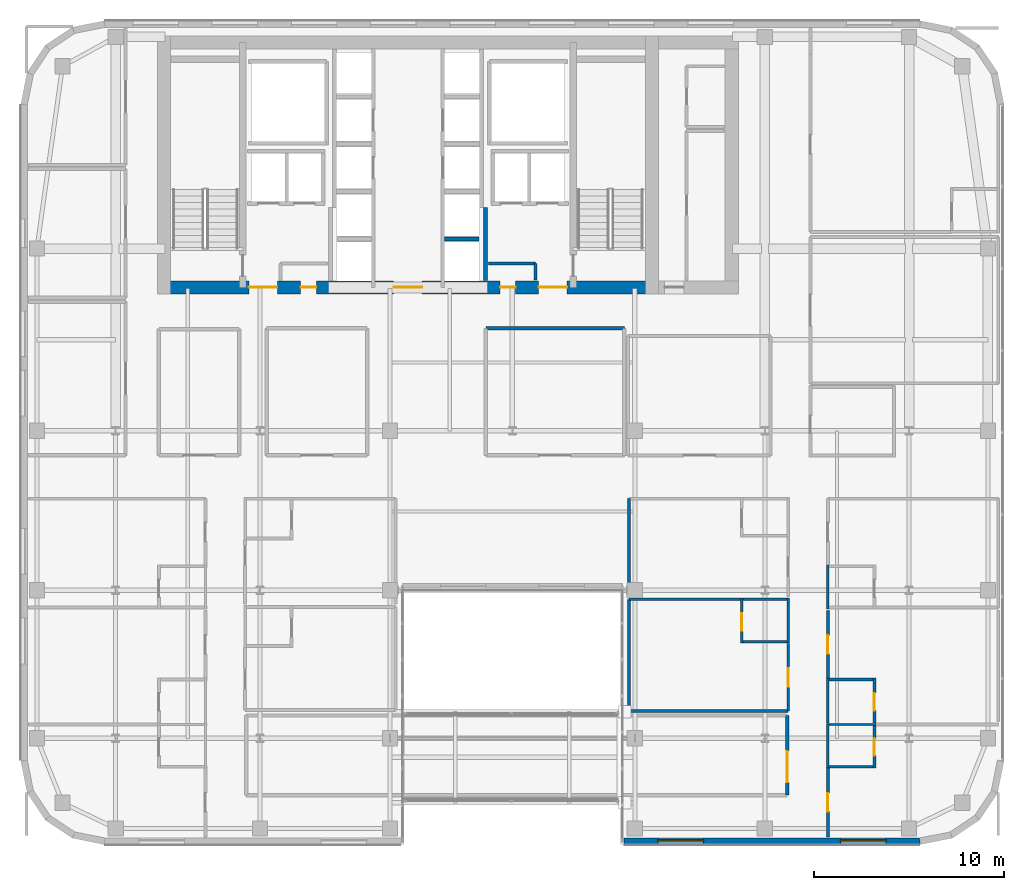
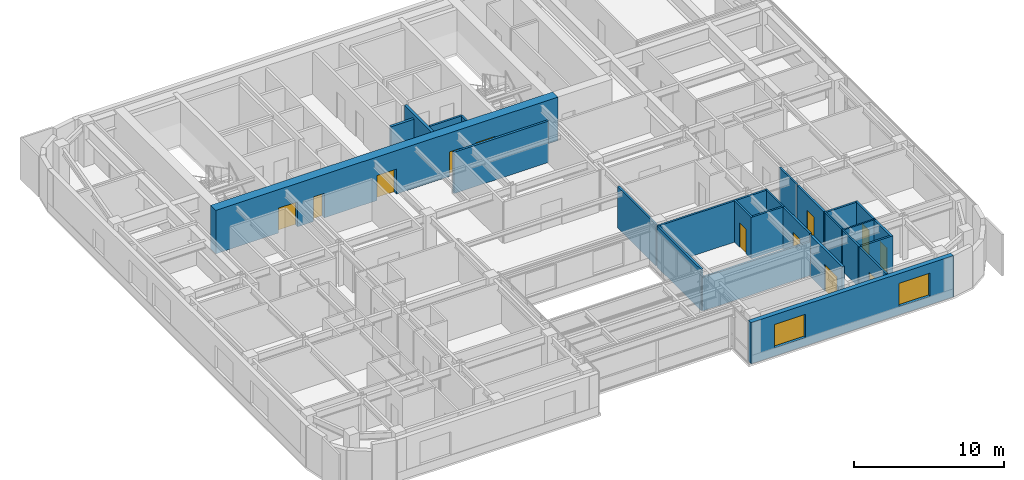
# One storey, part 17 of 26: 27 walls, 12 doors, 2 windows, 14 openings.
"""IFC4 building model written with IfcOpenShell, lengths in metres."""

from ifc_helpers import new_model, si_unit, direction, frame, frame_2d, origin, place, context, subcontext, project, spatial, rectangle, extrude, source, transform, mapped, material, layer, layer_set, type_object, type_shapes, element, fill, save


model = new_model("IFC4")

# Units and contexts
model_context = context("Model", 3, precision=1e-05, world=origin(), true_north=direction((0.0, 1.0)))
body_context = subcontext(model_context, "Body", "Model", "MODEL_VIEW")
ifc_project = project(units=[si_unit("LENGTHUNIT", "METRE"), si_unit("AREAUNIT", "SQUARE_METRE"), si_unit("VOLUMEUNIT", "CUBIC_METRE"), si_unit("PLANEANGLEUNIT", "RADIAN"), si_unit("MASSUNIT", "GRAM", prefix="KILO")], contexts=[model_context])

# Site, building, storey
site_placement = place(None, origin())
site = spatial("IfcSite", under=ifc_project, at=site_placement, CompositionType="ELEMENT")
building_placement = place(site_placement, origin())
building = spatial("IfcBuilding", under=site, at=building_placement, Name="Tolvann Quenvar Hotel", CompositionType="ELEMENT")
storey_placement = place(building_placement, frame((0.0, 0.0, 168.35009765625)))
storey = spatial("IfcBuildingStorey", under=building, at=storey_placement, Name="L44", CompositionType="ELEMENT", Elevation=168.35009765625)

# Wall, openings, doors
ifc_material_1 = material(Name="Concrete S65 (65 MPa)", Category="concrete")
ifc_layer_1 = layer(ifc_material_1, 0.699951171875)
ifc_layer_set_1 = layer_set([ifc_layer_1], Name="Concrete S65 (65 MPa)")
wall_type_1 = type_object("IfcWallType", Name="WALL_CORE_700", PredefinedType="SHEAR", material=ifc_layer_set_1)
wall_1_placement = place(storey_placement, frame((9.800048828125, 31.949951171875, 0.0), z_axis=(0.0, 0.0, 1.0), x_axis=(1.0, 0.0, 0.0)))
wall_1 = element("IfcWall", 1, at=wall_1_placement, inside=storey, type_object=wall_type_1, Name="Rear Core S Shear Wall (L44)", PredefinedType="SHEAR", context=body_context, shape_type="SweptSolid", body=[
    extrude(rectangle(XDim=26.39990234375, YDim=0.699951171875, at=frame_2d((13.199951171875, 0.0))), origin(), (0.0, 0.0, 1.0), 3.5498046875),
])
opening_1_placement = place(wall_1_placement, frame((6.320068359375, 0.0, 0.0), z_axis=(0.0, 0.0, 1.0), x_axis=(-1.0, 0.0, 0.0)))
opening_1 = element("IfcOpeningElement", 2, at=opening_1_placement, cuts=wall_1, Name="Opening FD-60D", PredefinedType="OPENING", context=body_context, shape_type="SweptSolid", body=[
    extrude(rectangle(XDim=1.5, YDim=2.0400390625, at=frame_2d((0.75, 1.02001953125))), frame((0.0, 0.35986328125, 0.0), z_axis=(0.0, -1.0, 0.0), x_axis=(1.0, 0.0, 0.0)), (0.0, 0.0, 1.0), 0.719970703125),
])
opening_2_placement = place(wall_1_placement, frame((13.949951171875, 0.0, 0.0), z_axis=(0.0, 0.0, 1.0), x_axis=(-1.0, 0.0, 0.0)))
opening_2 = element("IfcOpeningElement", 3, at=opening_2_placement, cuts=wall_1, Name="Opening FD-60D", PredefinedType="OPENING", context=body_context, shape_type="SweptSolid", body=[
    extrude(rectangle(XDim=1.5, YDim=2.0400390625, at=frame_2d((0.75, 1.02001953125))), frame((0.0, 0.35986328125, 0.0), z_axis=(0.0, -1.0, 0.0), x_axis=(1.0, 0.0, 0.0)), (0.0, 0.0, 1.0), 0.719970703125),
])
opening_3_placement = place(wall_1_placement, frame((21.580078125, 0.0, 0.0), z_axis=(0.0, 0.0, 1.0), x_axis=(-1.0, 0.0, 0.0)))
opening_3 = element("IfcOpeningElement", 4, at=opening_3_placement, cuts=wall_1, Name="Opening FD-60D", PredefinedType="OPENING", context=body_context, shape_type="SweptSolid", body=[
    extrude(rectangle(XDim=1.5, YDim=2.0400390625, at=frame_2d((0.75, 1.02001953125))), frame((0.0, 0.35986328125, 0.0), z_axis=(0.0, -1.0, 0.0), x_axis=(1.0, 0.0, 0.0)), (0.0, 0.0, 1.0), 0.719970703125),
])
opening_4_placement = place(wall_1_placement, frame((8.3701171875, 0.0, 0.0), z_axis=(0.0, 0.0, 1.0), x_axis=(-1.0, 0.0, 0.0)))
opening_4 = element("IfcOpeningElement", 5, at=opening_4_placement, cuts=wall_1, Name="Opening HD-02", PredefinedType="OPENING", context=body_context, shape_type="SweptSolid", body=[
    extrude(rectangle(XDim=0.820068359375, YDim=2.010009765625, at=frame_2d((0.41015625, 1.0048828125))), frame((0.0, 0.35986328125, 0.0), z_axis=(0.0, -1.0, 0.0), x_axis=(1.0, 0.0, 0.0)), (0.0, 0.0, 1.0), 0.719970703125),
])
opening_5_placement = place(wall_1_placement, frame((18.8701171875, 0.0, 0.0), z_axis=(0.0, 0.0, 1.0), x_axis=(-1.0, 0.0, 0.0)))
opening_5 = element("IfcOpeningElement", 6, at=opening_5_placement, cuts=wall_1, Name="Opening HD-02", PredefinedType="OPENING", context=body_context, shape_type="SweptSolid", body=[
    extrude(rectangle(XDim=0.820068359375, YDim=2.010009765625, at=frame_2d((0.41015625, 1.0048828125))), frame((0.0, 0.35986328125, 0.0), z_axis=(0.0, -1.0, 0.0), x_axis=(1.0, 0.0, 0.0)), (0.0, 0.0, 1.0), 0.719970703125),
])
ifc_material_2 = material(Name="Solid-core American oak acoustic fire door leaf in steel frame", Category="steel")
door_type_1 = type_object("IfcDoorType", Name="DOOR_FIRE_LOBBY_1500", OperationType="NOTDEFINED", PredefinedType="DOOR", material=ifc_material_2)
shared_shape_1 = source(origin(), body_context, "Body", "SweptSolid", [
    extrude(rectangle(XDim=1.5, YDim=2.0400390625, at=frame_2d((0.75, 1.02001953125))), frame((0.0, 0.02490234375, 0.0), z_axis=(0.0, -1.0, 0.0), x_axis=(1.0, 0.0, 0.0)), (0.0, 0.0, 1.0), 0.050048828125),
])
type_shapes(door_type_1, [shared_shape_1])
door_1_placement = place(opening_1_placement, origin())
door_1 = element("IfcDoor", 7, at=door_1_placement, inside=storey, type_object=door_type_1, Name="Core Lobby Fire Door FFW (L44)", OperationType="DOUBLE_DOOR_SINGLE_SWING", OverallHeight=2.0400390625, OverallWidth=1.5, PredefinedType="DOOR", context=body_context, shape_type="MappedRepresentation", body=[
    mapped(shared_shape_1, transform((0.0, 0.0, 0.0), x_axis=(1.0, 0.0, 0.0), y_axis=(0.0, 1.0, 0.0), z_axis=(0.0, 0.0, 1.0), scale=1.0)),
])
fill(opening_1, door_1)
door_2_placement = place(opening_2_placement, origin())
door_2 = element("IfcDoor", 8, at=door_2_placement, inside=storey, type_object=door_type_1, Name="Core Lobby Fire Door CLOB (L44)", OperationType="DOUBLE_DOOR_SINGLE_SWING", OverallHeight=2.0400390625, OverallWidth=1.5, PredefinedType="DOOR", context=body_context, shape_type="MappedRepresentation", body=[
    mapped(shared_shape_1, transform((0.0, 0.0, 0.0), x_axis=(1.0, 0.0, 0.0), y_axis=(0.0, 1.0, 0.0), z_axis=(0.0, 0.0, 1.0), scale=1.0)),
])
fill(opening_2, door_2)
door_3_placement = place(opening_3_placement, origin())
door_3 = element("IfcDoor", 9, at=door_3_placement, inside=storey, type_object=door_type_1, Name="Core Lobby Fire Door FFE (L44)", OperationType="DOUBLE_DOOR_SINGLE_SWING", OverallHeight=2.0400390625, OverallWidth=1.5, PredefinedType="DOOR", context=body_context, shape_type="MappedRepresentation", body=[
    mapped(shared_shape_1, transform((0.0, 0.0, 0.0), x_axis=(1.0, 0.0, 0.0), y_axis=(0.0, 1.0, 0.0), z_axis=(0.0, 0.0, 1.0), scale=1.0)),
])
fill(opening_3, door_3)
ifc_material_3 = material(Name="Pressed galvanised steel fire-rated door set", Category="steel")
door_type_2 = type_object("IfcDoorType", Name="DOOR_STORE_820", OperationType="NOTDEFINED", PredefinedType="DOOR", material=ifc_material_3)
shared_shape_2 = source(origin(), body_context, "Body", "SweptSolid", [
    extrude(rectangle(XDim=0.820068359375, YDim=2.010009765625, at=frame_2d((0.41015625, 1.0048828125))), frame((0.0, 0.02490234375, 0.0), z_axis=(0.0, -1.0, 0.0), x_axis=(1.0, 0.0, 0.0)), (0.0, 0.0, 1.0), 0.050048828125),
])
type_shapes(door_type_2, [shared_shape_2])
door_4_placement = place(opening_4_placement, origin())
door_4 = element("IfcDoor", 10, at=door_4_placement, inside=storey, type_object=door_type_2, Name="Core Linen Store Fire Door (L44)", OperationType="SINGLE_SWING_LEFT", OverallHeight=2.010009765625, OverallWidth=0.820068359375, PredefinedType="DOOR", context=body_context, shape_type="MappedRepresentation", body=[
    mapped(shared_shape_2, transform((0.0, 0.0, 0.0), x_axis=(1.0, 0.0, 0.0), y_axis=(0.0, 1.0, 0.0), z_axis=(0.0, 0.0, 1.0), scale=1.0)),
])
fill(opening_4, door_4)
door_5_placement = place(opening_5_placement, origin())
door_5 = element("IfcDoor", 11, at=door_5_placement, inside=storey, type_object=door_type_2, Name="Core Comms Closet Fire Door (L44)", OperationType="SINGLE_SWING_RIGHT", OverallHeight=2.010009765625, OverallWidth=0.820068359375, PredefinedType="DOOR", context=body_context, shape_type="MappedRepresentation", body=[
    mapped(shared_shape_2, transform((0.0, 0.0, 0.0), x_axis=(1.0, 0.0, 0.0), y_axis=(0.0, 1.0, 0.0), z_axis=(0.0, 0.0, 1.0), scale=1.0)),
])
fill(opening_5, door_5)

# Wall, openings, windows
ifc_material_4 = material(Name="Kiln-fired red and buff architectural clay brickwork and terracotta masonry", Category="masonry")
ifc_layer_2 = layer(ifc_material_4, 0.35009765625)
ifc_layer_set_2 = layer_set([ifc_layer_2], Name="Kiln-fired red and buff architectural clay brickwork and terracotta masonry")
wall_type_2 = type_object("IfcWallType", Name="WALL_EXT_BRICK_350", PredefinedType="SOLIDWALL", material=ifc_layer_set_2)
wall_2_placement = place(storey_placement, frame((34.375, 2.77490234375, 0.0), z_axis=(0.0, 0.0, 1.0), x_axis=(1.0, 0.0, 0.0)))
wall_2 = element("IfcWall", 12, at=wall_2_placement, inside=storey, type_object=wall_type_2, Name="Exterior Chicago Brick Wall L44-E08", PredefinedType="SOLIDWALL", context=body_context, shape_type="SweptSolid", body=[
    extrude(rectangle(XDim=15.60791015625, YDim=0.35009765625, at=frame_2d((7.803955078125, 0.0))), origin(), (0.0, 0.0, 1.0), 3.369873046875),
])
opening_6_placement = place(wall_2_placement, frame((1.801025390625, 0.0, 0.679931640625)))
opening_6 = element("IfcOpeningElement", 13, at=opening_6_placement, cuts=wall_2, Name="Opening W-01", PredefinedType="OPENING", context=body_context, shape_type="SweptSolid", body=[
    extrude(rectangle(XDim=2.39990234375, YDim=1.89990234375, at=frame_2d((1.199951171875, 0.949951171875))), frame((0.0, 0.18505859375, 0.0), z_axis=(0.0, -1.0, 0.0), x_axis=(1.0, 0.0, 0.0)), (0.0, 0.0, 1.0), 0.3701171875),
])
opening_7_placement = place(wall_2_placement, frame((11.406005859375, 0.0, 0.679931640625)))
opening_7 = element("IfcOpeningElement", 14, at=opening_7_placement, cuts=wall_2, Name="Opening W-01", PredefinedType="OPENING", context=body_context, shape_type="SweptSolid", body=[
    extrude(rectangle(XDim=2.39990234375, YDim=1.89990234375, at=frame_2d((1.199951171875, 0.949951171875))), frame((0.0, 0.18505859375, 0.0), z_axis=(0.0, -1.0, 0.0), x_axis=(1.0, 0.0, 0.0)), (0.0, 0.0, 1.0), 0.3701171875),
])
ifc_material_5 = material(Name="Thermally broken bronze-anodised aluminium frame with double low-E glazing", Category="aluminium")
window_type = type_object("IfcWindowType", Name="WIN_CHI_2400x2050", PartitioningType="TRIPLE_PANEL_HORIZONTAL", PredefinedType="WINDOW", material=ifc_material_5)
shared_shape_3 = source(origin(), body_context, "Body", "SweptSolid", [
    extrude(rectangle(XDim=2.39990234375, YDim=1.89990234375, at=frame_2d((1.199951171875, 0.949951171875))), frame((0.0, 0.090087890625, 0.0), z_axis=(0.0, -1.0, 0.0), x_axis=(1.0, 0.0, 0.0)), (0.0, 0.0, 1.0), 0.06005859375),
])
type_shapes(window_type, [shared_shape_3])
window_1_placement = place(opening_6_placement, origin())
window_1 = element("IfcWindow", 15, at=window_1_placement, inside=storey, type_object=window_type, Name="Chicago Window W-01 (EW-L44-E08-W01)", OverallHeight=1.89990234375, OverallWidth=2.39990234375, PartitioningType="TRIPLE_PANEL_HORIZONTAL", PredefinedType="WINDOW", context=body_context, shape_type="MappedRepresentation", body=[
    mapped(shared_shape_3, transform((0.0, 0.0, 0.0), x_axis=(1.0, 0.0, 0.0), y_axis=(0.0, 1.0, 0.0), z_axis=(0.0, 0.0, 1.0), scale=1.0)),
])
fill(opening_6, window_1)
window_2_placement = place(opening_7_placement, origin())
window_2 = element("IfcWindow", 16, at=window_2_placement, inside=storey, type_object=window_type, Name="Chicago Window W-01 (EW-L44-E08-W02)", OverallHeight=1.89990234375, OverallWidth=2.39990234375, PartitioningType="TRIPLE_PANEL_HORIZONTAL", PredefinedType="WINDOW", context=body_context, shape_type="MappedRepresentation", body=[
    mapped(shared_shape_3, transform((0.0, 0.0, 0.0), x_axis=(1.0, 0.0, 0.0), y_axis=(0.0, 1.0, 0.0), z_axis=(0.0, 0.0, 1.0), scale=1.0)),
])
fill(opening_7, window_2)

# Wall
ifc_material_6 = material(Name="Acoustic twin-stud fire-rated gypsum plasterboard partition")
ifc_layer_3 = layer(ifc_material_6, 0.179931640625)
ifc_layer_set_3 = layer_set([ifc_layer_3], Name="Acoustic twin-stud fire-rated gypsum plasterboard partition")
wall_type_3 = type_object("IfcWallType", Name="WALL_PART_ACOUSTIC_180", PredefinedType="PARTITIONING", material=ifc_layer_set_3)
wall_3_placement = place(storey_placement, frame((27.10009765625, 29.800048828125, 0.0), z_axis=(0.0, 0.0, 1.0), x_axis=(1.0, 0.0, 0.0)))
element("IfcWall", 17, at=wall_3_placement, inside=storey, type_object=wall_type_3, Name="Interior Partition PT-SPC-L44-MSP-C-N", PredefinedType="PARTITIONING", context=body_context, shape_type="SweptSolid", body=[
    extrude(rectangle(XDim=7.2998046875, YDim=0.179931640625, at=frame_2d((3.64990234375, 0.0))), origin(), (0.0, 0.0, 1.0), 3.369873046875),
])

# Wall, opening, door
wall_4_placement = place(storey_placement, frame((42.97998046875, 5.199951171875, 0.0), z_axis=(0.0, 0.0, 1.0), x_axis=(0.0, 1.0, 0.0)))
wall_4 = element("IfcWall", 18, at=wall_4_placement, inside=storey, type_object=wall_type_3, Name="Interior Partition PT-SPC-L44-BRG-E", PredefinedType="PARTITIONING", context=body_context, shape_type="SweptSolid", body=[
    extrude(rectangle(XDim=4.199951171875, YDim=0.179931640625, at=frame_2d((2.10009765625, 0.0))), origin(), (0.0, 0.0, 1.0), 3.369873046875),
])
opening_8_placement = place(wall_4_placement, frame((0.675048828125, 0.0, 0.0)))
opening_8 = element("IfcOpeningElement", 19, at=opening_8_placement, cuts=wall_4, Name="Opening AD-01", PredefinedType="OPENING", context=body_context, shape_type="SweptSolid", body=[
    extrude(rectangle(XDim=1.64990234375, YDim=2.14990234375, at=frame_2d((0.824951171875, 1.074951171875))), frame((0.0, 0.10009765625, 0.0), z_axis=(0.0, -1.0, 0.0), x_axis=(1.0, 0.0, 0.0)), (0.0, 0.0, 1.0), 0.199951171875),
])
door_type_3 = type_object("IfcDoorType", Name="DOOR_SALON_1650", OperationType="NOTDEFINED", PredefinedType="DOOR", material=ifc_material_2)
shared_shape_4 = source(origin(), body_context, "Body", "SweptSolid", [
    extrude(rectangle(XDim=1.64990234375, YDim=2.14990234375, at=frame_2d((0.824951171875, 1.074951171875))), frame((0.0, 0.02490234375, 0.0), z_axis=(0.0, -1.0, 0.0), x_axis=(1.0, 0.0, 0.0)), (0.0, 0.0, 1.0), 0.050048828125),
])
type_shapes(door_type_3, [shared_shape_4])
door_6_placement = place(opening_8_placement, origin())
door_6 = element("IfcDoor", 20, at=door_6_placement, inside=storey, type_object=door_type_3, Name="Interior Door DOOR-SPC-L44-BRG", OperationType="DOUBLE_DOOR_SINGLE_SWING", OverallHeight=2.14990234375, OverallWidth=1.64990234375, PredefinedType="DOOR", context=body_context, shape_type="MappedRepresentation", body=[
    mapped(shared_shape_4, transform((0.0, 0.0, 0.0), x_axis=(1.0, 0.0, 0.0), y_axis=(0.0, 1.0, 0.0), z_axis=(0.0, 0.0, 1.0), scale=1.0)),
])
fill(opening_8, door_6)

# Walls
ifc_material_7 = material(Name="Moisture-resistant acoustic plumbing wall assembly")
ifc_layer_4 = layer(ifc_material_7, 0.1201171875)
ifc_layer_set_4 = layer_set([ifc_layer_4], Name="Moisture-resistant acoustic plumbing wall assembly")
wall_type_4 = type_object("IfcWallType", Name="WALL_PART_BATH_120", PredefinedType="PLUMBINGWALL", material=ifc_layer_set_4)
wall_5_placement = place(storey_placement, frame((43.030029296875, 13.2119140625, 0.0), z_axis=(0.0, 0.0, 1.0), x_axis=(0.0, 1.0, 0.0)))
element("IfcWall", 21, at=wall_5_placement, inside=storey, type_object=wall_type_4, Name="Non-Rated Plumbing Partition PT-SPC-L44-ENS-EI01-E", PredefinedType="PLUMBINGWALL", context=body_context, shape_type="SweptSolid", body=[
    extrude(rectangle(XDim=2.378173828125, YDim=0.1201171875, at=frame_2d((1.18896484375, 0.0))), origin(), (0.0, 0.0, 1.0), 3.369873046875),
])
wall_6_placement = place(storey_placement, frame((45.050048828125, 8.919921875, 0.0), z_axis=(0.0, 0.0, 1.0), x_axis=(1.0, 0.0, 0.0)))
element("IfcWall", 22, at=wall_6_placement, inside=storey, type_object=wall_type_4, Name="Non-Rated Plumbing Partition PT-SPC-L44-ENS-EO01-N", PredefinedType="PLUMBINGWALL", context=body_context, shape_type="SweptSolid", body=[
    extrude(rectangle(XDim=2.58984375, YDim=0.1201171875, at=frame_2d((1.294921875, 0.0))), origin(), (0.0, 0.0, 1.0), 3.369873046875),
])
for number, where, z_axis, x_axis, name in (
    (23, (45.1201171875, 6.631103515625, 0.0), (0.0, 0.0, 1.0), (0.0, 1.0, 0.0), "Non-Rated Plumbing Partition PT-SPC-L44-ENS-EO01-W"),
    (24, (45.1201171875, 9.010009765625, 0.0), (0.0, 0.0, 1.0), (0.0, 1.0, 0.0), "Non-Rated Plumbing Partition PT-SPC-L44-ENS-EO02-W"),
):
    element("IfcWall", number, at=place(storey_placement, frame(where, z_axis=z_axis, x_axis=x_axis)), inside=storey, type_object=wall_type_4, Name=name, PredefinedType="PLUMBINGWALL", context=body_context, shape_type="SweptSolid", body=[
        extrude(rectangle(XDim=2.35888671875, YDim=0.1201171875, at=frame_2d((1.179443359375, 0.0))), origin(), (0.0, 0.0, 1.0), 3.369873046875),
    ])
wall_7_placement = place(storey_placement, frame((45.1201171875, 15.010009765625, 0.0), z_axis=(0.0, 0.0, 1.0), x_axis=(0.0, 1.0, 0.0)))
element("IfcWall", 25, at=wall_7_placement, inside=storey, type_object=wall_type_4, Name="Non-Rated Plumbing Partition PT-SPC-L44-ENS-EO03-W", PredefinedType="PLUMBINGWALL", context=body_context, shape_type="SweptSolid", body=[
    extrude(rectangle(XDim=2.321044921875, YDim=0.1201171875, at=frame_2d((1.16064453125, 0.0))), origin(), (0.0, 0.0, 1.0), 3.369873046875),
])

# Wall, opening, door
ifc_layer_5 = layer(ifc_material_6, 0.14990234375)
ifc_layer_set_5 = layer_set([ifc_layer_5], Name="Acoustic twin-stud fire-rated gypsum plasterboard partition")
wall_type_5 = type_object("IfcWallType", Name="WALL_PART_SUITE_150", PredefinedType="PARTITIONING", material=ifc_layer_set_5)
wall_8_placement = place(storey_placement, frame((40.580078125, 13.2119140625, 0.0), z_axis=(0.0, 0.0, 1.0), x_axis=(0.0, 1.0, 0.0)))
wall_8 = element("IfcWall", 26, at=wall_8_placement, inside=storey, type_object=wall_type_5, Name="Interior Partition PT-SPC-L44-ENS-EI01-ENT", PredefinedType="PARTITIONING", context=body_context, shape_type="SweptSolid", body=[
    extrude(rectangle(XDim=2.378173828125, YDim=0.14990234375, at=frame_2d((1.18896484375, 0.0))), origin(), (0.0, 0.0, 1.0), 3.369873046875),
])
opening_9_placement = place(wall_8_placement, frame((0.658935546875, 0.0, 0.0)))
opening_9 = element("IfcOpeningElement", 27, at=opening_9_placement, cuts=wall_8, Name="Opening WD-01", PredefinedType="OPENING", context=body_context, shape_type="SweptSolid", body=[
    extrude(rectangle(XDim=0.919921875, YDim=2.010009765625, at=frame_2d((0.4599609375, 1.0048828125))), frame((0.0, 0.0849609375, 0.0), z_axis=(0.0, -1.0, 0.0), x_axis=(1.0, 0.0, 0.0)), (0.0, 0.0, 1.0), 0.169921875),
])
door_type_4 = type_object("IfcDoorType", Name="DOOR_WC_920", OperationType="NOTDEFINED", PredefinedType="DOOR", material=ifc_material_2)
shared_shape_5 = source(origin(), body_context, "Body", "SweptSolid", [
    extrude(rectangle(XDim=0.919921875, YDim=2.010009765625, at=frame_2d((0.4599609375, 1.0048828125))), frame((0.0, 0.02490234375, 0.0), z_axis=(0.0, -1.0, 0.0), x_axis=(1.0, 0.0, 0.0)), (0.0, 0.0, 1.0), 0.050048828125),
])
type_shapes(door_type_4, [shared_shape_5])
door_7_placement = place(opening_9_placement, origin())
door_7 = element("IfcDoor", 28, at=door_7_placement, inside=storey, type_object=door_type_4, Name="Interior Door DOOR-SPC-L44-ENS-EI01", OperationType="SINGLE_SWING_RIGHT", OverallHeight=2.010009765625, OverallWidth=0.919921875, PredefinedType="DOOR", context=body_context, shape_type="MappedRepresentation", body=[
    mapped(shared_shape_5, transform((0.0, 0.0, 0.0), x_axis=(1.0, 0.0, 0.0), y_axis=(0.0, 1.0, 0.0), z_axis=(0.0, 0.0, 1.0), scale=1.0)),
])
fill(opening_9, door_7)

# Walls
for number, where, z_axis, x_axis, name in (
    (29, (40.510009765625, 13.281982421875, 0.0), (0.0, 0.0, 1.0), (1.0, 0.0, 0.0), "Interior Partition PT-SPC-L44-ENS-EI01-S"),
    (30, (40.510009765625, 15.52001953125, 0.0), (0.0, 0.0, 1.0), (1.0, 0.0, 0.0), "Interior Partition PT-SPC-L44-ENS-EI01-N"),
):
    element("IfcWall", number, at=place(storey_placement, frame(where, z_axis=z_axis, x_axis=x_axis)), inside=storey, type_object=wall_type_5, Name=name, PredefinedType="PARTITIONING", context=body_context, shape_type="SweptSolid", body=[
        extrude(rectangle(XDim=2.590087890625, YDim=0.14990234375, at=frame_2d((1.294921875, 0.0))), origin(), (0.0, 0.0, 1.0), 3.369873046875),
    ])

# Wall, opening, door
wall_9_placement = place(storey_placement, frame((47.570068359375, 6.631103515625, 0.0), z_axis=(0.0, 0.0, 1.0), x_axis=(0.0, 1.0, 0.0)))
wall_9 = element("IfcWall", 31, at=wall_9_placement, inside=storey, type_object=wall_type_5, Name="Interior Partition PT-SPC-L44-ENS-EO01-ENT", PredefinedType="PARTITIONING", context=body_context, shape_type="SweptSolid", body=[
    extrude(rectangle(XDim=2.35888671875, YDim=0.14990234375, at=frame_2d((1.179443359375, 0.0))), origin(), (0.0, 0.0, 1.0), 3.369873046875),
])
opening_10_placement = place(wall_9_placement, frame((0.6494140625, 0.0, 0.0)))
opening_10 = element("IfcOpeningElement", 32, at=opening_10_placement, cuts=wall_9, Name="Opening WD-01", PredefinedType="OPENING", context=body_context, shape_type="SweptSolid", body=[
    extrude(rectangle(XDim=0.919921875, YDim=2.010009765625, at=frame_2d((0.4599609375, 1.0048828125))), frame((0.0, 0.0849609375, 0.0), z_axis=(0.0, -1.0, 0.0), x_axis=(1.0, 0.0, 0.0)), (0.0, 0.0, 1.0), 0.169921875),
])
door_8_placement = place(opening_10_placement, origin())
door_8 = element("IfcDoor", 33, at=door_8_placement, inside=storey, type_object=door_type_4, Name="Interior Door DOOR-SPC-L44-ENS-EO01", OperationType="SINGLE_SWING_RIGHT", OverallHeight=2.010009765625, OverallWidth=0.919921875, PredefinedType="DOOR", context=body_context, shape_type="MappedRepresentation", body=[
    mapped(shared_shape_5, transform((0.0, 0.0, 0.0), x_axis=(1.0, 0.0, 0.0), y_axis=(0.0, 1.0, 0.0), z_axis=(0.0, 0.0, 1.0), scale=1.0)),
])
fill(opening_10, door_8)

# Wall
wall_10_placement = place(storey_placement, frame((45.050048828125, 6.700927734375, 0.0), z_axis=(0.0, 0.0, 1.0), x_axis=(1.0, 0.0, 0.0)))
element("IfcWall", 34, at=wall_10_placement, inside=storey, type_object=wall_type_5, Name="Interior Partition PT-SPC-L44-ENS-EO01-S", PredefinedType="PARTITIONING", context=body_context, shape_type="SweptSolid", body=[
    extrude(rectangle(XDim=2.58984375, YDim=0.14990234375, at=frame_2d((1.294921875, 0.0))), origin(), (0.0, 0.0, 1.0), 3.369873046875),
])

# Wall, opening, door
wall_11_placement = place(storey_placement, frame((47.570068359375, 9.010009765625, 0.0), z_axis=(0.0, 0.0, 1.0), x_axis=(0.0, 1.0, 0.0)))
wall_11 = element("IfcWall", 35, at=wall_11_placement, inside=storey, type_object=wall_type_5, Name="Interior Partition PT-SPC-L44-ENS-EO02-ENT", PredefinedType="PARTITIONING", context=body_context, shape_type="SweptSolid", body=[
    extrude(rectangle(XDim=2.35888671875, YDim=0.14990234375, at=frame_2d((1.179443359375, 0.0))), origin(), (0.0, 0.0, 1.0), 3.369873046875),
])
opening_11_placement = place(wall_11_placement, frame((0.6494140625, 0.0, 0.0)))
opening_11 = element("IfcOpeningElement", 36, at=opening_11_placement, cuts=wall_11, Name="Opening WD-01", PredefinedType="OPENING", context=body_context, shape_type="SweptSolid", body=[
    extrude(rectangle(XDim=0.919921875, YDim=2.010009765625, at=frame_2d((0.4599609375, 1.0048828125))), frame((0.0, 0.0849609375, 0.0), z_axis=(0.0, -1.0, 0.0), x_axis=(1.0, 0.0, 0.0)), (0.0, 0.0, 1.0), 0.169921875),
])
door_9_placement = place(opening_11_placement, origin())
door_9 = element("IfcDoor", 37, at=door_9_placement, inside=storey, type_object=door_type_4, Name="Interior Door DOOR-SPC-L44-ENS-EO02", OperationType="SINGLE_SWING_LEFT", OverallHeight=2.010009765625, OverallWidth=0.919921875, PredefinedType="DOOR", context=body_context, shape_type="MappedRepresentation", body=[
    mapped(shared_shape_5, transform((0.0, 0.0, 0.0), x_axis=(1.0, 0.0, 0.0), y_axis=(0.0, 1.0, 0.0), z_axis=(0.0, 0.0, 1.0), scale=1.0)),
])
fill(opening_11, door_9)

# Walls
wall_12_placement = place(storey_placement, frame((45.050048828125, 11.299072265625, 0.0), z_axis=(0.0, 0.0, 1.0), x_axis=(1.0, 0.0, 0.0)))
element("IfcWall", 38, at=wall_12_placement, inside=storey, type_object=wall_type_5, Name="Interior Partition PT-SPC-L44-ENS-EO02-N", PredefinedType="PARTITIONING", context=body_context, shape_type="SweptSolid", body=[
    extrude(rectangle(XDim=2.58984375, YDim=0.14990234375, at=frame_2d((1.294921875, 0.0))), origin(), (0.0, 0.0, 1.0), 3.369873046875),
])
wall_13_placement = place(storey_placement, frame((27.235107421875, 33.219970703125, 0.0), z_axis=(0.0, 0.0, 1.0), x_axis=(1.0, 0.0, 0.0)))
element("IfcWall", 39, at=wall_13_placement, inside=storey, type_object=wall_type_5, Name="Interior Partition PT-SPC-L44-CSE-2-N", PredefinedType="PARTITIONING", context=body_context, shape_type="SweptSolid", body=[
    extrude(rectangle(XDim=2.48486328125, YDim=0.14990234375, at=frame_2d((1.242431640625, 0.0))), origin(), (0.0, 0.0, 1.0), 3.369873046875),
])
wall_14_placement = place(storey_placement, frame((29.719970703125, 32.35498046875, 0.0), z_axis=(0.0, 0.0, 1.0), x_axis=(0.0, 1.0, 0.0)))
element("IfcWall", 40, at=wall_14_placement, inside=storey, type_object=wall_type_5, Name="Interior Partition PT-SPC-L44-CSE-2-E", PredefinedType="PARTITIONING", context=body_context, shape_type="SweptSolid", body=[
    extrude(rectangle(XDim=0.864990234375, YDim=0.14990234375, at=frame_2d((0.4326171875, 0.0))), origin(), (0.0, 0.0, 1.0), 3.369873046875),
])

# Wall, opening, door
wall_15_placement = place(storey_placement, frame((43.030029296875, 9.6298828125, 0.0), z_axis=(0.0, 0.0, 1.0), x_axis=(0.0, 1.0, 0.0)))
wall_15 = element("IfcWall", 41, at=wall_15_placement, inside=storey, type_object=wall_type_5, Name="Interior Partition PT-SPC-L44-RM-EI01-ENT", PredefinedType="PARTITIONING", context=body_context, shape_type="SweptSolid", body=[
    extrude(rectangle(XDim=3.572021484375, YDim=0.14990234375, at=frame_2d((1.7861328125, 0.0))), origin(), (0.0, 0.0, 1.0), 3.369873046875),
])
opening_12_placement = place(wall_15_placement, frame((1.27587890625, 0.0, 0.0)))
opening_12 = element("IfcOpeningElement", 42, at=opening_12_placement, cuts=wall_15, Name="Opening SD-01", PredefinedType="OPENING", context=body_context, shape_type="SweptSolid", body=[
    extrude(rectangle(XDim=0.97998046875, YDim=2.1201171875, at=frame_2d((0.489990234375, 1.06005859375))), frame((0.0, 0.0849609375, 0.0), z_axis=(0.0, -1.0, 0.0), x_axis=(1.0, 0.0, 0.0)), (0.0, 0.0, 1.0), 0.169921875),
])
door_type_5 = type_object("IfcDoorType", Name="DOOR_SUITE_980", OperationType="NOTDEFINED", PredefinedType="DOOR", material=ifc_material_2)
shared_shape_6 = source(origin(), body_context, "Body", "SweptSolid", [
    extrude(rectangle(XDim=0.97998046875, YDim=2.1201171875, at=frame_2d((0.489990234375, 1.06005859375))), frame((0.0, 0.02490234375, 0.0), z_axis=(0.0, -1.0, 0.0), x_axis=(1.0, 0.0, 0.0)), (0.0, 0.0, 1.0), 0.050048828125),
])
type_shapes(door_type_5, [shared_shape_6])
door_10_placement = place(opening_12_placement, origin())
door_10 = element("IfcDoor", 43, at=door_10_placement, inside=storey, type_object=door_type_5, Name="Interior Door DOOR-SPC-L44-RM-EI01", OperationType="SINGLE_SWING_LEFT", OverallHeight=2.1201171875, OverallWidth=0.97998046875, PredefinedType="DOOR", context=body_context, shape_type="MappedRepresentation", body=[
    mapped(shared_shape_6, transform((0.0, 0.0, 0.0), x_axis=(1.0, 0.0, 0.0), y_axis=(0.0, 1.0, 0.0), z_axis=(0.0, 0.0, 1.0), scale=1.0)),
])
fill(opening_12, door_10)

# Walls
wall_16_placement = place(storey_placement, frame((34.64990234375, 9.6298828125, 0.0), z_axis=(0.0, 0.0, 1.0), x_axis=(1.0, 0.0, 0.0)))
element("IfcWall", 44, at=wall_16_placement, inside=storey, type_object=wall_type_5, Name="Interior Partition PT-SPC-L44-RM-EI01-E1", PredefinedType="PARTITIONING", context=body_context, shape_type="SweptSolid", body=[
    extrude(rectangle(XDim=8.380126953125, YDim=0.14990234375, at=frame_2d((4.18994140625, 0.0))), origin(), (0.0, 0.0, 1.0), 2.747802734375),
])
wall_17_placement = place(storey_placement, frame((34.64990234375, 15.52001953125, 0.0), z_axis=(0.0, 0.0, 1.0), x_axis=(1.0, 0.0, 0.0)))
element("IfcWall", 45, at=wall_17_placement, inside=storey, type_object=wall_type_5, Name="Interior Partition PT-SPC-L44-RM-EI01-E5", PredefinedType="PARTITIONING", context=body_context, shape_type="SweptSolid", body=[
    extrude(rectangle(XDim=5.91015625, YDim=0.14990234375, at=frame_2d((2.955078125, 0.0))), origin(), (0.0, 0.0, 1.0), 3.369873046875),
])
wall_18_placement = place(storey_placement, frame((34.64990234375, 9.6298828125, 0.0), z_axis=(0.0, 0.0, 1.0), x_axis=(0.0, 1.0, 0.0)))
element("IfcWall", 46, at=wall_18_placement, inside=storey, type_object=wall_type_5, Name="Interior Partition PT-SPC-L44-RM-EI01-E6", PredefinedType="PARTITIONING", context=body_context, shape_type="SweptSolid", body=[
    extrude(rectangle(XDim=5.89013671875, YDim=0.14990234375, at=frame_2d((2.945068359375, 0.0))), origin(), (0.0, 0.0, 1.0), 3.369873046875),
])
wall_19_placement = place(storey_placement, frame((34.64990234375, 15.679931640625, 0.0), z_axis=(0.0, 0.0, 1.0), x_axis=(0.0, 1.0, 0.0)))
element("IfcWall", 47, at=wall_19_placement, inside=storey, type_object=wall_type_5, Name="Interior Partition PT-SPC-L44-RM-EI02-E6", PredefinedType="PARTITIONING", context=body_context, shape_type="SweptSolid", body=[
    extrude(rectangle(XDim=5.14013671875, YDim=0.14990234375, at=frame_2d((2.570068359375, 0.0))), origin(), (0.0, 0.0, 1.0), 3.369873046875),
])

# Wall, opening, door
wall_20_placement = place(storey_placement, frame((45.1201171875, 3.0048828125, 0.0), z_axis=(0.0, 0.0, 1.0), x_axis=(0.0, 1.0, 0.0)))
wall_20 = element("IfcWall", 48, at=wall_20_placement, inside=storey, type_object=wall_type_5, Name="Interior Partition PT-SPC-L44-RM-EO01-ENT", PredefinedType="PARTITIONING", context=body_context, shape_type="SweptSolid", body=[
    extrude(rectangle(XDim=3.6162109375, YDim=0.14990234375, at=frame_2d((1.80810546875, 0.0))), origin(), (0.0, 0.0, 1.0), 3.369873046875),
])
opening_13_placement = place(wall_20_placement, frame((1.325439453125, 0.0, 0.0)))
opening_13 = element("IfcOpeningElement", 49, at=opening_13_placement, cuts=wall_20, Name="Opening SD-01", PredefinedType="OPENING", context=body_context, shape_type="SweptSolid", body=[
    extrude(rectangle(XDim=0.97998046875, YDim=2.1201171875, at=frame_2d((0.489990234375, 1.06005859375))), frame((0.0, 0.0849609375, 0.0), z_axis=(0.0, -1.0, 0.0), x_axis=(1.0, 0.0, 0.0)), (0.0, 0.0, 1.0), 0.169921875),
])
door_11_placement = place(opening_13_placement, origin())
door_11 = element("IfcDoor", 50, at=door_11_placement, inside=storey, type_object=door_type_5, Name="Interior Door DOOR-SPC-L44-RM-EO01", OperationType="SINGLE_SWING_LEFT", OverallHeight=2.1201171875, OverallWidth=0.97998046875, PredefinedType="DOOR", context=body_context, shape_type="MappedRepresentation", body=[
    mapped(shared_shape_6, transform((0.0, 0.0, 0.0), x_axis=(1.0, 0.0, 0.0), y_axis=(0.0, 1.0, 0.0), z_axis=(0.0, 0.0, 1.0), scale=1.0)),
])
fill(opening_13, door_11)

wall_21_placement = place(storey_placement, frame((45.1201171875, 11.37890625, 0.0), z_axis=(0.0, 0.0, 1.0), x_axis=(0.0, 1.0, 0.0)))
wall_21 = element("IfcWall", 51, at=wall_21_placement, inside=storey, type_object=wall_type_5, Name="Interior Partition PT-SPC-L44-RM-EO02-ENT", PredefinedType="PARTITIONING", context=body_context, shape_type="SweptSolid", body=[
    extrude(rectangle(XDim=3.541015625, YDim=0.14990234375, at=frame_2d((1.7705078125, 0.0))), origin(), (0.0, 0.0, 1.0), 3.369873046875),
])
opening_14_placement = place(wall_21_placement, frame((1.260498046875, 0.0, 0.0)))
opening_14 = element("IfcOpeningElement", 52, at=opening_14_placement, cuts=wall_21, Name="Opening SD-01", PredefinedType="OPENING", context=body_context, shape_type="SweptSolid", body=[
    extrude(rectangle(XDim=0.97998046875, YDim=2.1201171875, at=frame_2d((0.489990234375, 1.06005859375))), frame((0.0, 0.0849609375, 0.0), z_axis=(0.0, -1.0, 0.0), x_axis=(1.0, 0.0, 0.0)), (0.0, 0.0, 1.0), 0.169921875),
])
door_12_placement = place(opening_14_placement, origin())
door_12 = element("IfcDoor", 53, at=door_12_placement, inside=storey, type_object=door_type_5, Name="Interior Door DOOR-SPC-L44-RM-EO02", OperationType="SINGLE_SWING_RIGHT", OverallHeight=2.1201171875, OverallWidth=0.97998046875, PredefinedType="DOOR", context=body_context, shape_type="MappedRepresentation", body=[
    mapped(shared_shape_6, transform((0.0, 0.0, 0.0), x_axis=(1.0, 0.0, 0.0), y_axis=(0.0, 1.0, 0.0), z_axis=(0.0, 0.0, 1.0), scale=1.0)),
])
fill(opening_14, door_12)

# Walls
ifc_material_8 = material(Name="Concrete N40 (40 MPa)", Category="concrete")
ifc_layer_6 = layer(ifc_material_8, 0.199951171875)
ifc_layer_set_6 = layer_set([ifc_layer_6], Name="Concrete N40 (40 MPa)")
wall_type_6 = type_object("IfcWallType", Name="WALL_SHAFT_200", PredefinedType="SOLIDWALL", material=ifc_layer_set_6)
wall_22_placement = place(storey_placement, frame((27.080078125, 32.303955078125, 0.0), z_axis=(0.0, 0.0, 1.0), x_axis=(0.0, 1.0, 0.0)))
element("IfcWall", 54, at=wall_22_placement, inside=storey, type_object=wall_type_6, Name="Firefighting Lobby E Inner Fire Wall (L44)", PredefinedType="SOLIDWALL", context=body_context, shape_type="SweptSolid", body=[
    extrude(rectangle(XDim=3.845947265625, YDim=0.199951171875, at=frame_2d((1.9228515625, 0.0))), origin(), (0.0, 0.0, 1.0), 3.369873046875),
])
wall_23_placement = place(storey_placement, frame((24.929931640625, 34.5, 0.0), z_axis=(0.0, 0.0, 1.0), x_axis=(1.0, 0.0, 0.0)))
element("IfcWall", 55, at=wall_23_placement, inside=storey, type_object=wall_type_6, Name="Lift Bank W24.9C1 Divider Wall 1 (L44)", PredefinedType="SOLIDWALL", context=body_context, shape_type="SweptSolid", body=[
    extrude(rectangle(XDim=1.800048828125, YDim=0.199951171875, at=frame_2d((0.89990234375, 0.0))), origin(), (0.0, 0.0, 1.0), 3.369873046875),
])

save(model, "model.ifc")
